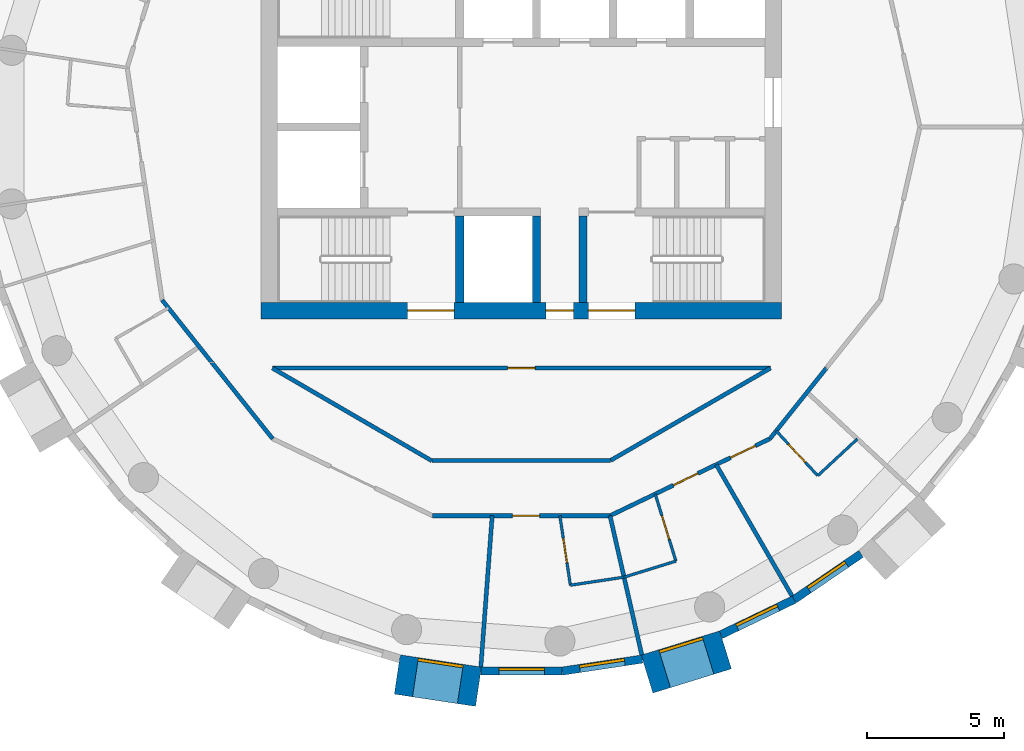
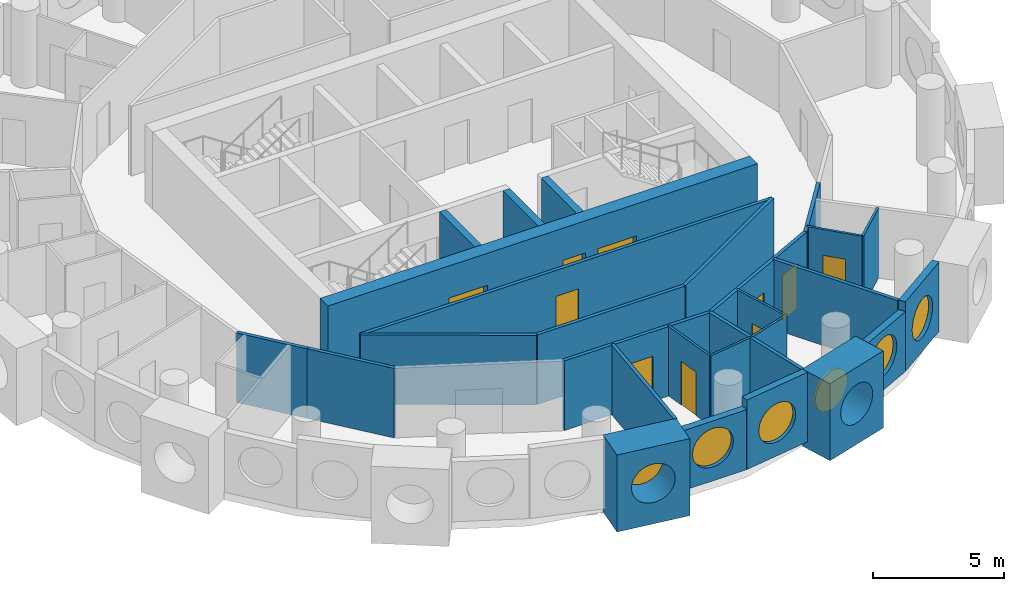
# One storey, part 3 of 11: 28 walls, 10 doors, 6 windows, 16 openings.
"""IFC4 building model written with IfcOpenShell, lengths in metres."""

from ifc_helpers import new_model, si_unit, direction, frame, frame_2d, origin, origin_2d, place, context, subcontext, project, spatial, rectangle, circle, extrude, material, layer, layer_set, type_object, element, fill, save


model = new_model("IFC4")

# Units and contexts
model_context = context("Model", 3, precision=1e-05, world=origin(), true_north=direction((0.0, 1.0)))
body_context = subcontext(model_context, "Body", "Model", "MODEL_VIEW")
ifc_project = project(units=[si_unit("LENGTHUNIT", "METRE"), si_unit("AREAUNIT", "SQUARE_METRE"), si_unit("VOLUMEUNIT", "CUBIC_METRE"), si_unit("PLANEANGLEUNIT", "RADIAN"), si_unit("MASSUNIT", "GRAM", prefix="KILO")], contexts=[model_context])

# Site, building, storey
site_placement = place(None, origin())
site = spatial("IfcSite", under=ifc_project, at=site_placement, CompositionType="ELEMENT")
building_placement = place(site_placement, origin())
building = spatial("IfcBuilding", under=site, at=building_placement, Name="Tracery Tower", CompositionType="ELEMENT")
storey_placement = place(building_placement, frame((0.0, 0.0, 267.0)))
storey = spatial("IfcBuildingStorey", under=building, at=storey_placement, Name="L69", CompositionType="ELEMENT", Elevation=267.0)

# Wall, openings, doors
ifc_material_1 = material(Name="Concrete C40/50", Category="concrete")
ifc_layer_1 = layer(ifc_material_1, 0.60009765625)
ifc_layer_set_1 = layer_set([ifc_layer_1], Name="Core wall 600 C40")
wall_type_1 = type_object("IfcWallType", Name="Core wall 600 C40", PredefinedType="SOLIDWALL", material=ifc_layer_set_1)
wall_1_placement = place(storey_placement, frame((-9.5, -6.699951171875, 0.0), z_axis=(0.0, 0.0, 1.0), x_axis=(1.0, 0.0, 0.0)))
wall_1 = element("IfcWall", 1, at=wall_1_placement, inside=storey, type_object=wall_type_1, Name="L69 outer S", PredefinedType="SOLIDWALL", context=body_context, shape_type="SweptSolid", body=[
    extrude(rectangle(XDim=19.0, YDim=0.60009765625, at=frame_2d((9.5, 0.0))), origin(), (0.0, 0.0, 1.0), 3.60009765625),
])
opening_1_placement = place(wall_1_placement, frame((10.39990234375, 0.0, 0.0)))
opening_1 = element("IfcOpeningElement", 2, at=opening_1_placement, cuts=wall_1, Name="Opening KD16", PredefinedType="OPENING", context=body_context, shape_type="SweptSolid", body=[
    extrude(rectangle(XDim=1.0, YDim=2.10009765625, at=frame_2d((0.5, 1.050048828125))), frame((0.0, 0.300048828125, 0.0), z_axis=(0.0, -1.0, 0.0), x_axis=(1.0, 0.0, 0.0)), (0.0, 0.0, 1.0), 0.60009765625),
])
opening_2_placement = place(wall_1_placement, frame((5.35009765625, 0.0, 0.0)))
opening_2 = element("IfcOpeningElement", 3, at=opening_2_placement, cuts=wall_1, Name="Opening KD3", PredefinedType="OPENING", context=body_context, shape_type="SweptSolid", body=[
    extrude(rectangle(XDim=1.699951171875, YDim=2.10009765625, at=frame_2d((0.85009765625, 1.050048828125))), frame((0.0, 0.300048828125, 0.0), z_axis=(0.0, -1.0, 0.0), x_axis=(1.0, 0.0, 0.0)), (0.0, 0.0, 1.0), 0.60009765625),
])
opening_3_placement = place(wall_1_placement, frame((11.949951171875, 0.0, 0.0)))
opening_3 = element("IfcOpeningElement", 4, at=opening_3_placement, cuts=wall_1, Name="Opening KD3", PredefinedType="OPENING", context=body_context, shape_type="SweptSolid", body=[
    extrude(rectangle(XDim=1.699951171875, YDim=2.10009765625, at=frame_2d((0.85009765625, 1.050048828125))), frame((0.0, 0.300048828125, 0.0), z_axis=(0.0, -1.0, 0.0), x_axis=(1.0, 0.0, 0.0)), (0.0, 0.0, 1.0), 0.60009765625),
])
ifc_material_2 = material(Name="Steel fire door", Category="steel")
door_type_1 = type_object("IfcDoorType", Name="Core exit door 1000", OperationType="NOTDEFINED", PredefinedType="DOOR", material=ifc_material_2)
door_1_placement = place(opening_1_placement, origin())
door_1 = element("IfcDoor", 5, at=door_1_placement, inside=storey, type_object=door_type_1, Name="Core exit door", OperationType="SINGLE_SWING_LEFT", OverallHeight=2.10009765625, OverallWidth=1.0, PredefinedType="DOOR", context=body_context, shape_type="SweptSolid", body=[
    extrude(rectangle(XDim=1.0, YDim=2.10009765625, at=frame_2d((0.5, 1.050048828125))), frame((0.0, 0.02490234375, 0.0), z_axis=(0.0, -1.0, 0.0), x_axis=(1.0, 0.0, 0.0)), (0.0, 0.0, 1.0), 0.050048828125),
])
fill(opening_1, door_1)
ifc_material_3 = material(Name="Steel fire door", Category="steel")
door_type_2 = type_object("IfcDoorType", Name="Core stair door 1700 double", OperationType="NOTDEFINED", PredefinedType="DOOR", material=ifc_material_3)
door_2_placement = place(opening_2_placement, origin())
door_2 = element("IfcDoor", 6, at=door_2_placement, inside=storey, type_object=door_type_2, Name="Stair door ST1 exit", OperationType="DOUBLE_DOOR_SINGLE_SWING", OverallHeight=2.10009765625, OverallWidth=1.699951171875, PredefinedType="DOOR", context=body_context, shape_type="SweptSolid", body=[
    extrude(rectangle(XDim=1.699951171875, YDim=2.10009765625, at=frame_2d((0.85009765625, 1.050048828125))), frame((0.0, 0.02490234375, 0.0), z_axis=(0.0, -1.0, 0.0), x_axis=(1.0, 0.0, 0.0)), (0.0, 0.0, 1.0), 0.050048828125),
])
fill(opening_2, door_2)
door_3_placement = place(opening_3_placement, origin())
door_3 = element("IfcDoor", 7, at=door_3_placement, inside=storey, type_object=door_type_2, Name="Stair door ST2 exit", OperationType="DOUBLE_DOOR_SINGLE_SWING", OverallHeight=2.10009765625, OverallWidth=1.699951171875, PredefinedType="DOOR", context=body_context, shape_type="SweptSolid", body=[
    extrude(rectangle(XDim=1.699951171875, YDim=2.10009765625, at=frame_2d((0.85009765625, 1.050048828125))), frame((0.0, 0.02490234375, 0.0), z_axis=(0.0, -1.0, 0.0), x_axis=(1.0, 0.0, 0.0)), (0.0, 0.0, 1.0), 0.050048828125),
])
fill(opening_3, door_3)

# Wall, opening, window
ifc_material_4 = material(Name="Precast concrete C50/60", Category="concrete")
ifc_layer_2 = layer(ifc_material_4, 1.449951171875)
ifc_layer_set_2 = layer_set([ifc_layer_2], Name="Deep-set bay unit 3000 x 3600, slab edge 350")
wall_type_2 = type_object("IfcWallType", Name="Deep-set bay unit 3000 x 3600, slab edge 350", PredefinedType="ELEMENTEDWALL", material=ifc_layer_set_2)
wall_2_placement = place(storey_placement, frame((-4.52978515625, -19.9892578125, -0.35009765625), z_axis=(0.0, 0.0, 1.0), x_axis=(0.988836445254, -0.149004981587, 0.0)))
wall_2 = element("IfcWall", 8, at=wall_2_placement, inside=storey, type_object=wall_type_2, Name="Deep-set bay unit 31 at L69", PredefinedType="ELEMENTEDWALL", context=body_context, shape_type="SweptSolid", body=[
    extrude(rectangle(XDim=3.0, YDim=1.449951171875, at=frame_2d((1.5, 0.0))), origin(), (0.0, 0.0, 1.0), 3.60009765625),
])
opening_4_placement = place(wall_2_placement, frame((1.5, 0.0, 1.89990234375)))
opening_4 = element("IfcOpeningElement", 9, at=opening_4_placement, cuts=wall_2, Name="Opening WN1", PredefinedType="OPENING", context=body_context, shape_type="SweptSolid", body=[
    extrude(circle(Radius=0.9000244140625, at=origin_2d()), frame((0.0, 0.73486328125, 0.0), z_axis=(0.0, -1.0, 0.0), x_axis=(1.0, 0.0, 0.0)), (0.0, 0.0, 1.0), 1.469970703125),
])
ifc_material_5 = material(Name="Aluminium frame with tinted double glazing", Category="aluminium")
window_type = type_object("IfcWindowType", Name="Round window 1800", PartitioningType="SINGLE_PANEL", PredefinedType="WINDOW", material=ifc_material_5)
window_1_placement = place(opening_4_placement, origin())
window_1 = element("IfcWindow", 10, at=window_1_placement, inside=storey, type_object=window_type, Name="Round window 31 at L69", OverallHeight=1.800048828125, OverallWidth=1.800048828125, PartitioningType="SINGLE_PANEL", PredefinedType="WINDOW", context=body_context, shape_type="SweptSolid", body=[
    extrude(circle(Radius=0.9000244140625, at=origin_2d()), frame((0.0, 0.69482421875, 0.0), z_axis=(0.0, -1.0, 0.0), x_axis=(1.0, 0.0, 0.0)), (0.0, 0.0, 1.0), 0.10009765625),
])
fill(opening_4, window_1)

wall_3_placement = place(storey_placement, frame((4.591796875, -19.97509765625, -0.35009765625), z_axis=(0.0, 0.0, 1.0), x_axis=(0.955571139978, 0.294760574774, 0.0)))
wall_3 = element("IfcWall", 11, at=wall_3_placement, inside=storey, type_object=wall_type_2, Name="Deep-set bay unit 34 at L69", PredefinedType="ELEMENTEDWALL", context=body_context, shape_type="SweptSolid", body=[
    extrude(rectangle(XDim=3.0, YDim=1.449951171875, at=frame_2d((1.5, 0.0))), origin(), (0.0, 0.0, 1.0), 3.60009765625),
])
opening_5_placement = place(wall_3_placement, frame((1.5, 0.0, 1.89990234375)))
opening_5 = element("IfcOpeningElement", 12, at=opening_5_placement, cuts=wall_3, Name="Opening WN1", PredefinedType="OPENING", context=body_context, shape_type="SweptSolid", body=[
    extrude(circle(Radius=0.9000244140625, at=origin_2d()), frame((0.0, 0.73486328125, 0.0), z_axis=(0.0, -1.0, 0.0), x_axis=(1.0, 0.0, 0.0)), (0.0, 0.0, 1.0), 1.469970703125),
])
window_2_placement = place(opening_5_placement, origin())
window_2 = element("IfcWindow", 13, at=window_2_placement, inside=storey, type_object=window_type, Name="Round window 34 at L69", OverallHeight=1.800048828125, OverallWidth=1.800048828125, PartitioningType="SINGLE_PANEL", PredefinedType="WINDOW", context=body_context, shape_type="SweptSolid", body=[
    extrude(circle(Radius=0.9000244140625, at=origin_2d()), frame((0.0, 0.69482421875, 0.0), z_axis=(0.0, -1.0, 0.0), x_axis=(1.0, 0.0, 0.0)), (0.0, 0.0, 1.0), 0.10009765625),
])
fill(opening_5, window_2)

ifc_material_6 = material(Name="Precast concrete C50/60", Category="concrete")
ifc_layer_3 = layer(ifc_material_6, 0.300048828125)
ifc_layer_set_3 = layer_set([ifc_layer_3], Name="Facade panel 3000 x 2800")
wall_type_3 = type_object("IfcWallType", Name="Facade panel 3000 x 2800", PredefinedType="SOLIDWALL", material=ifc_layer_set_3)
wall_4_placement = place(storey_placement, frame((-1.473388671875, -19.865966796875, 0.0), z_axis=(0.0, 0.0, 1.0), x_axis=(1.0, 0.0, 0.0)))
wall_4 = element("IfcWall", 14, at=wall_4_placement, inside=storey, type_object=wall_type_3, Name="Facade panel 32 at L69", PredefinedType="SOLIDWALL", context=body_context, shape_type="SweptSolid", body=[
    extrude(rectangle(XDim=2.962158203125, YDim=0.300048828125, at=frame_2d((1.48095703125, 0.0))), origin(), (0.0, 0.0, 1.0), 2.800048828125),
])
opening_6_placement = place(wall_4_placement, frame((1.48095703125, 0.0, 1.5498046875)))
opening_6 = element("IfcOpeningElement", 15, at=opening_6_placement, cuts=wall_4, Name="Opening WN1", PredefinedType="OPENING", context=body_context, shape_type="SweptSolid", body=[
    extrude(circle(Radius=0.9000244140625, at=origin_2d()), frame((0.0, 0.159912109375, 0.0), z_axis=(0.0, -1.0, 0.0), x_axis=(1.0, 0.0, 0.0)), (0.0, 0.0, 1.0), 0.320068359375),
])
window_3_placement = place(opening_6_placement, origin())
window_3 = element("IfcWindow", 16, at=window_3_placement, inside=storey, type_object=window_type, Name="Round window 32 at L69", OverallHeight=1.800048828125, OverallWidth=1.800048828125, PartitioningType="SINGLE_PANEL", PredefinedType="WINDOW", context=body_context, shape_type="SweptSolid", body=[
    extrude(circle(Radius=0.9000244140625, at=origin_2d()), frame((0.0, 0.1201171875, 0.0), z_axis=(0.0, -1.0, 0.0), x_axis=(1.0, 0.0, 0.0)), (0.0, 0.0, 1.0), 0.10009765625),
])
fill(opening_6, window_3)

wall_5_placement = place(storey_placement, frame((7.2919921875, -18.5380859375, 0.0), z_axis=(0.0, 0.0, 1.0), x_axis=(0.90095513435, 0.433912255978, 0.0)))
wall_5 = element("IfcWall", 17, at=wall_5_placement, inside=storey, type_object=wall_type_3, Name="Facade panel 35 at L69", PredefinedType="SOLIDWALL", context=body_context, shape_type="SweptSolid", body=[
    extrude(rectangle(XDim=2.96240234375, YDim=0.300048828125, at=frame_2d((1.481201171875, 0.0))), origin(), (0.0, 0.0, 1.0), 2.800048828125),
])
opening_7_placement = place(wall_5_placement, frame((1.48095703125, 0.0, 1.5498046875)))
opening_7 = element("IfcOpeningElement", 18, at=opening_7_placement, cuts=wall_5, Name="Opening WN1", PredefinedType="OPENING", context=body_context, shape_type="SweptSolid", body=[
    extrude(circle(Radius=0.9000244140625, at=origin_2d()), frame((0.0, 0.159912109375, 0.0), z_axis=(0.0, -1.0, 0.0), x_axis=(1.0, 0.0, 0.0)), (0.0, 0.0, 1.0), 0.320068359375),
])
window_4_placement = place(opening_7_placement, origin())
window_4 = element("IfcWindow", 19, at=window_4_placement, inside=storey, type_object=window_type, Name="Round window 35 at L69", OverallHeight=1.800048828125, OverallWidth=1.800048828125, PartitioningType="SINGLE_PANEL", PredefinedType="WINDOW", context=body_context, shape_type="SweptSolid", body=[
    extrude(circle(Radius=0.9000244140625, at=origin_2d()), frame((0.0, 0.1201171875, 0.0), z_axis=(0.0, -1.0, 0.0), x_axis=(1.0, 0.0, 0.0)), (0.0, 0.0, 1.0), 0.10009765625),
])
fill(opening_7, window_4)

ifc_material_7 = material(Name="Precast concrete C50/60", Category="concrete")
ifc_layer_4 = layer(ifc_material_7, 0.300048828125)
ifc_layer_set_4 = layer_set([ifc_layer_4], Name="Facade panel 3000 x 3250")
wall_type_4 = type_object("IfcWallType", Name="Facade panel 3000 x 3250", PredefinedType="SOLIDWALL", material=ifc_layer_set_4)
wall_6_placement = place(storey_placement, frame((1.48876953125, -19.865966796875, 0.0), z_axis=(0.0, 0.0, 1.0), x_axis=(0.988835775663, 0.149009425104, 0.0)))
wall_6 = element("IfcWall", 20, at=wall_6_placement, inside=storey, type_object=wall_type_4, Name="Facade panel 33 at L69", PredefinedType="SOLIDWALL", context=body_context, shape_type="SweptSolid", body=[
    extrude(rectangle(XDim=2.962158203125, YDim=0.300048828125, at=frame_2d((1.48095703125, 0.0))), origin(), (0.0, 0.0, 1.0), 3.25),
])
opening_8_placement = place(wall_6_placement, frame((1.48095703125, 0.0, 1.5498046875)))
opening_8 = element("IfcOpeningElement", 21, at=opening_8_placement, cuts=wall_6, Name="Opening WN1", PredefinedType="OPENING", context=body_context, shape_type="SweptSolid", body=[
    extrude(circle(Radius=0.9000244140625, at=origin_2d()), frame((0.0, 0.159912109375, 0.0), z_axis=(0.0, -1.0, 0.0), x_axis=(1.0, 0.0, 0.0)), (0.0, 0.0, 1.0), 0.320068359375),
])
window_5_placement = place(opening_8_placement, origin())
window_5 = element("IfcWindow", 22, at=window_5_placement, inside=storey, type_object=window_type, Name="Round window 33 at L69", OverallHeight=1.800048828125, OverallWidth=1.800048828125, PartitioningType="SINGLE_PANEL", PredefinedType="WINDOW", context=body_context, shape_type="SweptSolid", body=[
    extrude(circle(Radius=0.9000244140625, at=origin_2d()), frame((0.0, 0.1201171875, 0.0), z_axis=(0.0, -1.0, 0.0), x_axis=(1.0, 0.0, 0.0)), (0.0, 0.0, 1.0), 0.10009765625),
])
fill(opening_8, window_5)

wall_7_placement = place(storey_placement, frame((9.9609375, -17.252685546875, 0.0), z_axis=(0.0, 0.0, 1.0), x_axis=(0.826236061068, 0.563324037646, 0.0)))
wall_7 = element("IfcWall", 23, at=wall_7_placement, inside=storey, type_object=wall_type_4, Name="Facade panel 36 at L69", PredefinedType="SOLIDWALL", context=body_context, shape_type="SweptSolid", body=[
    extrude(rectangle(XDim=2.962158203125, YDim=0.300048828125, at=frame_2d((1.48095703125, 0.0))), origin(), (0.0, 0.0, 1.0), 3.25),
])
opening_9_placement = place(wall_7_placement, frame((1.48095703125, 0.0, 1.5498046875)))
opening_9 = element("IfcOpeningElement", 24, at=opening_9_placement, cuts=wall_7, Name="Opening WN1", PredefinedType="OPENING", context=body_context, shape_type="SweptSolid", body=[
    extrude(circle(Radius=0.9000244140625, at=origin_2d()), frame((0.0, 0.159912109375, 0.0), z_axis=(0.0, -1.0, 0.0), x_axis=(1.0, 0.0, 0.0)), (0.0, 0.0, 1.0), 0.320068359375),
])
window_6_placement = place(opening_9_placement, origin())
window_6 = element("IfcWindow", 25, at=window_6_placement, inside=storey, type_object=window_type, Name="Round window 36 at L69", OverallHeight=1.800048828125, OverallWidth=1.800048828125, PartitioningType="SINGLE_PANEL", PredefinedType="WINDOW", context=body_context, shape_type="SweptSolid", body=[
    extrude(circle(Radius=0.9000244140625, at=origin_2d()), frame((0.0, 0.1201171875, 0.0), z_axis=(0.0, -1.0, 0.0), x_axis=(1.0, 0.0, 0.0)), (0.0, 0.0, 1.0), 0.10009765625),
])
fill(opening_9, window_6)

# Wall, opening, door
ifc_material_8 = material(Name="Plasterboard on steel studs", Category="steel")
ifc_layer_5 = layer(ifc_material_8, 0.10009765625)
ifc_layer_set_5 = layer_set([ifc_layer_5], Name="Partition 100 wet wall")
wall_type_5 = type_object("IfcWallType", Name="Partition 100 wet wall", PredefinedType="PARTITIONING", material=ifc_layer_set_5)
wall_8_placement = place(storey_placement, frame((1.407958984375, -14.19189453125, 0.0), z_axis=(0.0, 0.0, 1.0), x_axis=(0.149289553133, -0.988793522089, 0.0)))
wall_8 = element("IfcWall", 26, at=wall_8_placement, inside=storey, type_object=wall_type_5, Name="Wet wall RC4-065", PredefinedType="PARTITIONING", context=body_context, shape_type="SweptSolid", body=[
    extrude(rectangle(XDim=2.56591796875, YDim=0.10009765625, at=frame_2d((1.282958984375, 0.0))), origin(), (0.0, 0.0, 1.0), 3.25),
])
opening_10_placement = place(wall_8_placement, frame((0.8330078125, 0.0, 0.0)))
opening_10 = element("IfcOpeningElement", 27, at=opening_10_placement, cuts=wall_8, Name="Opening RC4-21", PredefinedType="OPENING", context=body_context, shape_type="SweptSolid", body=[
    extrude(rectangle(XDim=0.89990234375, YDim=2.0400390625, at=frame_2d((0.449951171875, 1.02001953125))), frame((0.0, 0.050048828125, 0.0), z_axis=(0.0, -1.0, 0.0), x_axis=(1.0, 0.0, 0.0)), (0.0, 0.0, 1.0), 0.10009765625),
])
ifc_material_9 = material(Name="Timber door leaf", Category="wood")
door_type_3 = type_object("IfcDoorType", Name="Door en-suite 900", OperationType="NOTDEFINED", PredefinedType="DOOR", material=ifc_material_9)
door_4_placement = place(opening_10_placement, origin())
door_4 = element("IfcDoor", 28, at=door_4_placement, inside=storey, type_object=door_type_3, Name="En-suite door RC4-21", OperationType="SINGLE_SWING_RIGHT", OverallHeight=2.0400390625, OverallWidth=0.89990234375, PredefinedType="DOOR", context=body_context, shape_type="SweptSolid", body=[
    extrude(rectangle(XDim=0.89990234375, YDim=2.0400390625, at=frame_2d((0.449951171875, 1.02001953125))), frame((0.0, 0.02490234375, 0.0), z_axis=(0.0, -1.0, 0.0), x_axis=(1.0, 0.0, 0.0)), (0.0, 0.0, 1.0), 0.050048828125),
])
fill(opening_10, door_4)

# Walls
wall_9_placement = place(storey_placement, frame((1.791015625, -16.72900390625, 0.0), z_axis=(0.0, 0.0, 1.0), x_axis=(0.988867580828, 0.148798210967, 0.0)))
element("IfcWall", 29, at=wall_9_placement, inside=storey, type_object=wall_type_5, Name="Wet wall RC4-066", PredefinedType="PARTITIONING", context=body_context, shape_type="SweptSolid", body=[
    extrude(rectangle(XDim=1.98193359375, YDim=0.10009765625, at=frame_2d((0.990966796875, 0.0))), origin(), (0.0, 0.0, 1.0), 3.25),
])
wall_10_placement = place(storey_placement, frame((3.7509765625, -16.43408203125, 0.0), z_axis=(0.0, 0.0, 1.0), x_axis=(0.955469584731, 0.295089601059, 0.0)))
element("IfcWall", 30, at=wall_10_placement, inside=storey, type_object=wall_type_5, Name="Wet wall RC4-068", PredefinedType="PARTITIONING", context=body_context, shape_type="SweptSolid", body=[
    extrude(rectangle(XDim=1.982421875, YDim=0.10009765625, at=frame_2d((0.9912109375, 0.0))), origin(), (0.0, 0.0, 1.0), 3.25),
])

# Wall, opening, door
wall_11_placement = place(storey_placement, frame((4.888916015625, -13.39697265625, 0.0), z_axis=(0.0, 0.0, 1.0), x_axis=(0.294654076104, -0.955603984627, 0.0)))
wall_11 = element("IfcWall", 31, at=wall_11_placement, inside=storey, type_object=wall_type_5, Name="Wet wall RC4-069", PredefinedType="PARTITIONING", context=body_context, shape_type="SweptSolid", body=[
    extrude(rectangle(XDim=2.566162109375, YDim=0.10009765625, at=frame_2d((1.283203125, 0.0))), origin(), (0.0, 0.0, 1.0), 3.25),
])
opening_11_placement = place(wall_11_placement, frame((0.8330078125, 0.0, 0.0)))
opening_11 = element("IfcOpeningElement", 32, at=opening_11_placement, cuts=wall_11, Name="Opening RC4-23", PredefinedType="OPENING", context=body_context, shape_type="SweptSolid", body=[
    extrude(rectangle(XDim=0.89990234375, YDim=2.0400390625, at=frame_2d((0.449951171875, 1.02001953125))), frame((0.0, 0.050048828125, 0.0), z_axis=(0.0, -1.0, 0.0), x_axis=(1.0, 0.0, 0.0)), (0.0, 0.0, 1.0), 0.10009765625),
])
door_5_placement = place(opening_11_placement, origin())
door_5 = element("IfcDoor", 33, at=door_5_placement, inside=storey, type_object=door_type_3, Name="En-suite door RC4-23", OperationType="SINGLE_SWING_RIGHT", OverallHeight=2.0400390625, OverallWidth=0.89990234375, PredefinedType="DOOR", context=body_context, shape_type="SweptSolid", body=[
    extrude(rectangle(XDim=0.89990234375, YDim=2.0400390625, at=frame_2d((0.449951171875, 1.02001953125))), frame((0.0, 0.02490234375, 0.0), z_axis=(0.0, -1.0, 0.0), x_axis=(1.0, 0.0, 0.0)), (0.0, 0.0, 1.0), 0.050048828125),
])
fill(opening_11, door_5)

wall_12_placement = place(storey_placement, frame((9.305908203125, -11.092041015625, 0.0), z_axis=(0.0, 0.0, 1.0), x_axis=(0.680228963773, -0.732999697711, 0.0)))
wall_12 = element("IfcWall", 34, at=wall_12_placement, inside=storey, type_object=wall_type_5, Name="Wet wall RC4-071", PredefinedType="PARTITIONING", context=body_context, shape_type="SweptSolid", body=[
    extrude(rectangle(XDim=2.234619140625, YDim=0.10009765625, at=frame_2d((1.1171875, 0.0))), origin(), (0.0, 0.0, 1.0), 3.25),
])
opening_12_placement = place(wall_12_placement, frame((0.6669921875, 0.0, 0.0)))
opening_12 = element("IfcOpeningElement", 35, at=opening_12_placement, cuts=wall_12, Name="Opening RC4-25", PredefinedType="OPENING", context=body_context, shape_type="SweptSolid", body=[
    extrude(rectangle(XDim=0.89990234375, YDim=2.0400390625, at=frame_2d((0.449951171875, 1.02001953125))), frame((0.0, 0.050048828125, 0.0), z_axis=(0.0, -1.0, 0.0), x_axis=(1.0, 0.0, 0.0)), (0.0, 0.0, 1.0), 0.10009765625),
])
door_6_placement = place(opening_12_placement, origin())
door_6 = element("IfcDoor", 36, at=door_6_placement, inside=storey, type_object=door_type_3, Name="En-suite door RC4-25", OperationType="SINGLE_SWING_LEFT", OverallHeight=2.0400390625, OverallWidth=0.89990234375, PredefinedType="DOOR", context=body_context, shape_type="SweptSolid", body=[
    extrude(rectangle(XDim=0.89990234375, YDim=2.0400390625, at=frame_2d((0.449951171875, 1.02001953125))), frame((0.0, 0.02490234375, 0.0), z_axis=(0.0, -1.0, 0.0), x_axis=(1.0, 0.0, 0.0)), (0.0, 0.0, 1.0), 0.050048828125),
])
fill(opening_12, door_6)

# Walls
wall_13_placement = place(storey_placement, frame((10.825927734375, -12.72998046875, 0.0), z_axis=(0.0, 0.0, 1.0), x_axis=(0.732956436026, 0.680275578636, 0.0)))
element("IfcWall", 37, at=wall_13_placement, inside=storey, type_object=wall_type_5, Name="Wet wall RC4-072", PredefinedType="PARTITIONING", context=body_context, shape_type="SweptSolid", body=[
    extrude(rectangle(XDim=1.97412109375, YDim=0.10009765625, at=frame_2d((0.987060546875, 0.0))), origin(), (0.0, 0.0, 1.0), 3.25),
])
ifc_material_10 = material(Name="Plasterboard on steel studs", Category="steel")
ifc_layer_6 = layer(ifc_material_10, 0.14990234375)
ifc_layer_set_6 = layer_set([ifc_layer_6], Name="Partition 150 acoustic unit wall")
wall_type_6 = type_object("IfcWallType", Name="Partition 150 acoustic unit wall", PredefinedType="PARTITIONING", material=ifc_layer_set_6)
wall_14_placement = place(storey_placement, frame((-1.47802734375, -19.716064453125, 0.0), z_axis=(0.0, 0.0, 1.0), x_axis=(0.074745027699, 0.997202677912, 0.0)))
element("IfcWall", 38, at=wall_14_placement, inside=storey, type_object=wall_type_6, Name="Unit wall RC4-064", PredefinedType="PARTITIONING", context=body_context, shape_type="SweptSolid", body=[
    extrude(rectangle(XDim=5.53955078125, YDim=0.14990234375, at=frame_2d((2.769775390625, 0.0))), origin(), (0.0, 0.0, 1.0), 3.25),
])
wall_15_placement = place(storey_placement, frame((3.239013671875, -14.19189453125, 0.0), z_axis=(0.0, 0.0, 1.0), x_axis=(0.222612505682, -0.974907007008, 0.0)))
element("IfcWall", 39, at=wall_15_placement, inside=storey, type_object=wall_type_6, Name="Unit wall RC4-067", PredefinedType="PARTITIONING", context=body_context, shape_type="SweptSolid", body=[
    extrude(rectangle(XDim=5.21484375, YDim=0.14990234375, at=frame_2d((2.607421875, 0.0))), origin(), (0.0, 0.0, 1.0), 3.25),
])
wall_16_placement = place(storey_placement, frame((7.115966796875, -12.324951171875, 0.0), z_axis=(0.0, 0.0, 1.0), x_axis=(0.500054359786, -0.865994016873, 0.0)))
element("IfcWall", 40, at=wall_16_placement, inside=storey, type_object=wall_type_6, Name="Unit wall RC4-070", PredefinedType="PARTITIONING", context=body_context, shape_type="SweptSolid", body=[
    extrude(rectangle(XDim=5.53955078125, YDim=0.14990234375, at=frame_2d((2.769775390625, 0.0))), origin(), (0.0, 0.0, 1.0), 3.25),
])

# Wall, opening, door
ifc_material_11 = material(Name="Plasterboard on steel studs", Category="steel")
ifc_layer_7 = layer(ifc_material_11, 0.14990234375)
ifc_layer_set_7 = layer_set([ifc_layer_7], Name="Partition 150 corridor wall")
wall_type_7 = type_object("IfcWallType", Name="Partition 150 corridor wall", PredefinedType="PARTITIONING", material=ifc_layer_set_7)
wall_17_placement = place(storey_placement, frame((-9.092041015625, -8.800048828125, 0.0), z_axis=(0.0, 0.0, 1.0), x_axis=(1.0, 0.0, 0.0)))
wall_17 = element("IfcWall", 41, at=wall_17_placement, inside=storey, type_object=wall_type_7, Name="Corridor wall RC4-008", PredefinedType="PARTITIONING", context=body_context, shape_type="SweptSolid", body=[
    extrude(rectangle(XDim=18.192626953125, YDim=0.14990234375, at=frame_2d((9.09619140625, 0.0))), origin(), (0.0, 0.0, 1.0), 3.25),
])
opening_13_placement = place(wall_17_placement, frame((8.592041015625, 0.0, 0.0)))
opening_13 = element("IfcOpeningElement", 42, at=opening_13_placement, cuts=wall_17, Name="Opening RC4-03", PredefinedType="OPENING", context=body_context, shape_type="SweptSolid", body=[
    extrude(rectangle(XDim=1.0, YDim=2.0400390625, at=frame_2d((0.5, 1.02001953125))), frame((0.0, 0.074951171875, 0.0), z_axis=(0.0, -1.0, 0.0), x_axis=(1.0, 0.0, 0.0)), (0.0, 0.0, 1.0), 0.14990234375),
])
ifc_material_12 = material(Name="Timber door leaf", Category="wood")
door_type_4 = type_object("IfcDoorType", Name="Door communal room 1000", OperationType="NOTDEFINED", PredefinedType="DOOR", material=ifc_material_12)
door_7_placement = place(opening_13_placement, origin())
door_7 = element("IfcDoor", 43, at=door_7_placement, inside=storey, type_object=door_type_4, Name="Communal room door RC4-03", OperationType="SINGLE_SWING_RIGHT", OverallHeight=2.0400390625, OverallWidth=1.0, PredefinedType="DOOR", context=body_context, shape_type="SweptSolid", body=[
    extrude(rectangle(XDim=1.0, YDim=2.0400390625, at=frame_2d((0.5, 1.02001953125))), frame((0.0, 0.02490234375, 0.0), z_axis=(0.0, -1.0, 0.0), x_axis=(1.0, 0.0, 0.0)), (0.0, 0.0, 1.0), 0.050048828125),
])
fill(opening_13, door_7)

# Walls
wall_18_placement = place(storey_placement, frame((-9.092041015625, -8.800048828125, 0.0), z_axis=(0.0, 0.0, 1.0), x_axis=(0.864470922103, -0.502682827277, 0.0)))
element("IfcWall", 44, at=wall_18_placement, inside=storey, type_object=wall_type_7, Name="Corridor wall RC4-009", PredefinedType="PARTITIONING", context=body_context, shape_type="SweptSolid", body=[
    extrude(rectangle(XDim=6.7353515625, YDim=0.14990234375, at=frame_2d((3.36767578125, 0.0))), origin(), (0.0, 0.0, 1.0), 3.25),
])
wall_19_placement = place(storey_placement, frame((-11.300048828125, -8.59619140625, 0.0), z_axis=(0.0, 0.0, 1.0), x_axis=(0.623165080354, -0.782090328944, 0.0)))
element("IfcWall", 45, at=wall_19_placement, inside=storey, type_object=wall_type_7, Name="Corridor wall RC4-010", PredefinedType="PARTITIONING", context=body_context, shape_type="SweptSolid", body=[
    extrude(rectangle(XDim=3.56396484375, YDim=0.14990234375, at=frame_2d((1.781982421875, 0.0))), origin(), (0.0, 0.0, 1.0), 3.25),
])
wall_20_placement = place(storey_placement, frame((9.07763671875, -11.38232421875, 0.0), z_axis=(0.0, 0.0, 1.0), x_axis=(0.624018330412, 0.781409702595, 0.0)))
element("IfcWall", 46, at=wall_20_placement, inside=storey, type_object=wall_type_7, Name="Corridor wall RC4-013", PredefinedType="PARTITIONING", context=body_context, shape_type="SweptSolid", body=[
    extrude(rectangle(XDim=3.30078125, YDim=0.14990234375, at=frame_2d((1.650390625, 0.0))), origin(), (0.0, 0.0, 1.0), 3.25),
])
wall_21_placement = place(storey_placement, frame((-13.114990234375, -6.31591796875, 0.0), z_axis=(0.0, 0.0, 1.0), x_axis=(0.622042479172, -0.782983495423, 0.0)))
element("IfcWall", 47, at=wall_21_placement, inside=storey, type_object=wall_type_7, Name="Corridor wall RC4-033", PredefinedType="PARTITIONING", context=body_context, shape_type="SweptSolid", body=[
    extrude(rectangle(XDim=2.9111328125, YDim=0.14990234375, at=frame_2d((1.45556640625, 0.0))), origin(), (0.0, 0.0, 1.0), 3.25),
])
wall_22_placement = place(storey_placement, frame((-3.260986328125, -12.1708984375, 0.0), z_axis=(0.0, 0.0, 1.0), x_axis=(1.0, 0.0, 0.0)))
element("IfcWall", 48, at=wall_22_placement, inside=storey, type_object=wall_type_7, Name="Corridor wall RC4-034", PredefinedType="PARTITIONING", context=body_context, shape_type="SweptSolid", body=[
    extrude(rectangle(XDim=6.52197265625, YDim=0.14990234375, at=frame_2d((3.260986328125, 0.0))), origin(), (0.0, 0.0, 1.0), 3.25),
])
wall_23_placement = place(storey_placement, frame((3.260986328125, -12.1708984375, 0.0), z_axis=(0.0, 0.0, 1.0), x_axis=(0.866066809554, 0.499928276245, 0.0)))
element("IfcWall", 49, at=wall_23_placement, inside=storey, type_object=wall_type_7, Name="Corridor wall RC4-035", PredefinedType="PARTITIONING", context=body_context, shape_type="SweptSolid", body=[
    extrude(rectangle(XDim=6.74267578125, YDim=0.14990234375, at=frame_2d((3.371337890625, 0.0))), origin(), (0.0, 0.0, 1.0), 3.25),
])

# Wall, opening, door
wall_24_placement = place(storey_placement, frame((-3.239013671875, -14.19189453125, 0.0), z_axis=(0.0, 0.0, 1.0), x_axis=(1.0, 0.0, 0.0)))
wall_24 = element("IfcWall", 50, at=wall_24_placement, inside=storey, type_object=wall_type_7, Name="Corridor wall RC4-036", PredefinedType="PARTITIONING", context=body_context, shape_type="SweptSolid", body=[
    extrude(rectangle(XDim=6.47802734375, YDim=0.14990234375, at=frame_2d((3.239013671875, 0.0))), origin(), (0.0, 0.0, 1.0), 3.25),
])
opening_14_placement = place(wall_24_placement, frame((2.910888671875, 0.0, 0.0)))
opening_14 = element("IfcOpeningElement", 51, at=opening_14_placement, cuts=wall_24, Name="Opening RC4-22", PredefinedType="OPENING", context=body_context, shape_type="SweptSolid", body=[
    extrude(rectangle(XDim=1.0, YDim=2.10009765625, at=frame_2d((0.5, 1.050048828125))), frame((0.0, 0.074951171875, 0.0), z_axis=(0.0, -1.0, 0.0), x_axis=(1.0, 0.0, 0.0)), (0.0, 0.0, 1.0), 0.14990234375),
])
ifc_material_13 = material(Name="Timber door leaf", Category="wood")
door_type_5 = type_object("IfcDoorType", Name="Door unit entrance 1000", OperationType="NOTDEFINED", PredefinedType="DOOR", material=ifc_material_13)
door_8_placement = place(opening_14_placement, origin())
door_8 = element("IfcDoor", 52, at=door_8_placement, inside=storey, type_object=door_type_5, Name="Unit entrance door RC4-22", OperationType="SINGLE_SWING_RIGHT", OverallHeight=2.10009765625, OverallWidth=1.0, PredefinedType="DOOR", context=body_context, shape_type="SweptSolid", body=[
    extrude(rectangle(XDim=1.0, YDim=2.10009765625, at=frame_2d((0.5, 1.050048828125))), frame((0.0, 0.02490234375, 0.0), z_axis=(0.0, -1.0, 0.0), x_axis=(1.0, 0.0, 0.0)), (0.0, 0.0, 1.0), 0.050048828125),
])
fill(opening_14, door_8)

# Wall, openings, doors
wall_25_placement = place(storey_placement, frame((3.239013671875, -14.19189453125, 0.0), z_axis=(0.0, 0.0, 1.0), x_axis=(0.900939467372, 0.433944784657, 0.0)))
wall_25 = element("IfcWall", 53, at=wall_25_placement, inside=storey, type_object=wall_type_7, Name="Corridor wall RC4-038", PredefinedType="PARTITIONING", context=body_context, shape_type="SweptSolid", body=[
    extrude(rectangle(XDim=6.478515625, YDim=0.14990234375, at=frame_2d((3.2392578125, 0.0))), origin(), (0.0, 0.0, 1.0), 3.25),
])
opening_15_placement = place(wall_25_placement, frame((2.566650390625, 0.0, 0.0)))
opening_15 = element("IfcOpeningElement", 54, at=opening_15_placement, cuts=wall_25, Name="Opening RC4-24", PredefinedType="OPENING", context=body_context, shape_type="SweptSolid", body=[
    extrude(rectangle(XDim=1.0, YDim=2.10009765625, at=frame_2d((0.5, 1.050048828125))), frame((0.0, 0.074951171875, 0.0), z_axis=(0.0, -1.0, 0.0), x_axis=(1.0, 0.0, 0.0)), (0.0, 0.0, 1.0), 0.14990234375),
])
opening_16_placement = place(wall_25_placement, frame((4.888671875, 0.0, 0.0)))
opening_16 = element("IfcOpeningElement", 55, at=opening_16_placement, cuts=wall_25, Name="Opening RC4-26", PredefinedType="OPENING", context=body_context, shape_type="SweptSolid", body=[
    extrude(rectangle(XDim=1.0, YDim=2.10009765625, at=frame_2d((0.5, 1.050048828125))), frame((0.0, 0.074951171875, 0.0), z_axis=(0.0, -1.0, 0.0), x_axis=(1.0, 0.0, 0.0)), (0.0, 0.0, 1.0), 0.14990234375),
])
door_9_placement = place(opening_15_placement, origin())
door_9 = element("IfcDoor", 56, at=door_9_placement, inside=storey, type_object=door_type_5, Name="Unit entrance door RC4-24", OperationType="SINGLE_SWING_RIGHT", OverallHeight=2.10009765625, OverallWidth=1.0, PredefinedType="DOOR", context=body_context, shape_type="SweptSolid", body=[
    extrude(rectangle(XDim=1.0, YDim=2.10009765625, at=frame_2d((0.5, 1.050048828125))), frame((0.0, 0.02490234375, 0.0), z_axis=(0.0, -1.0, 0.0), x_axis=(1.0, 0.0, 0.0)), (0.0, 0.0, 1.0), 0.050048828125),
])
fill(opening_15, door_9)
door_10_placement = place(opening_16_placement, origin())
door_10 = element("IfcDoor", 57, at=door_10_placement, inside=storey, type_object=door_type_5, Name="Unit entrance door RC4-26", OperationType="SINGLE_SWING_RIGHT", OverallHeight=2.10009765625, OverallWidth=1.0, PredefinedType="DOOR", context=body_context, shape_type="SweptSolid", body=[
    extrude(rectangle(XDim=1.0, YDim=2.10009765625, at=frame_2d((0.5, 1.050048828125))), frame((0.0, 0.02490234375, 0.0), z_axis=(0.0, -1.0, 0.0), x_axis=(1.0, 0.0, 0.0)), (0.0, 0.0, 1.0), 0.050048828125),
])
fill(opening_16, door_10)

# Walls
ifc_material_14 = material(Name="Concrete C40/50", Category="concrete")
ifc_layer_8 = layer(ifc_material_14, 0.300048828125)
ifc_layer_set_8 = layer_set([ifc_layer_8], Name="Shaft wall 300 C40")
wall_type_8 = type_object("IfcWallType", Name="Shaft wall 300 C40", PredefinedType="SOLIDWALL", material=ifc_layer_set_8)
wall_26_placement = place(storey_placement, frame((0.550048828125, -6.39990234375, 0.0), z_axis=(0.0, 0.0, 1.0), x_axis=(0.0, 1.0, 0.0)))
element("IfcWall", 58, at=wall_26_placement, inside=storey, type_object=wall_type_8, Name="L69 OB2 E", PredefinedType="SOLIDWALL", context=body_context, shape_type="SweptSolid", body=[
    extrude(rectangle(XDim=3.14990234375, YDim=0.300048828125, at=frame_2d((1.574951171875, 0.0))), origin(), (0.0, 0.0, 1.0), 3.25),
])
ifc_material_15 = material(Name="Concrete C40/50", Category="concrete")
ifc_layer_9 = layer(ifc_material_15, 0.300048828125)
ifc_layer_set_9 = layer_set([ifc_layer_9], Name="Stair wall 300 C40")
wall_type_9 = type_object("IfcWallType", Name="Stair wall 300 C40", PredefinedType="SOLIDWALL", material=ifc_layer_set_9)
for number, where, z_axis, x_axis, name in (
    (59, (-2.25, -6.39990234375, 0.0), (0.0, 0.0, 1.0), (0.0, 1.0, 0.0), "L69 ST1 E"),
    (60, (2.25, -6.39990234375, 0.0), (0.0, 0.0, 1.0), (0.0, 1.0, 0.0), "L69 ST2 W"),
):
    element("IfcWall", number, at=place(storey_placement, frame(where, z_axis=z_axis, x_axis=x_axis)), inside=storey, type_object=wall_type_9, Name=name, PredefinedType="SOLIDWALL", context=body_context, shape_type="SweptSolid", body=[
        extrude(rectangle(XDim=3.14990234375, YDim=0.300048828125, at=frame_2d((1.574951171875, 0.0))), origin(), (0.0, 0.0, 1.0), 3.25),
    ])

save(model, "model.ifc")
